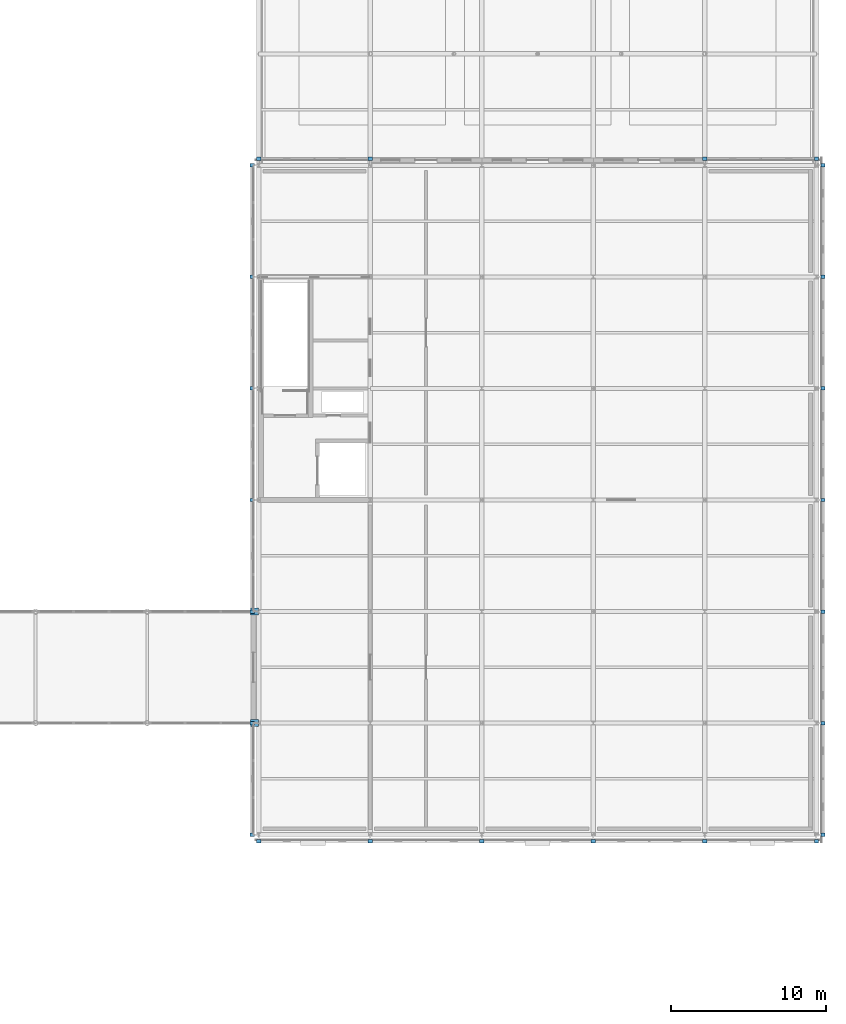
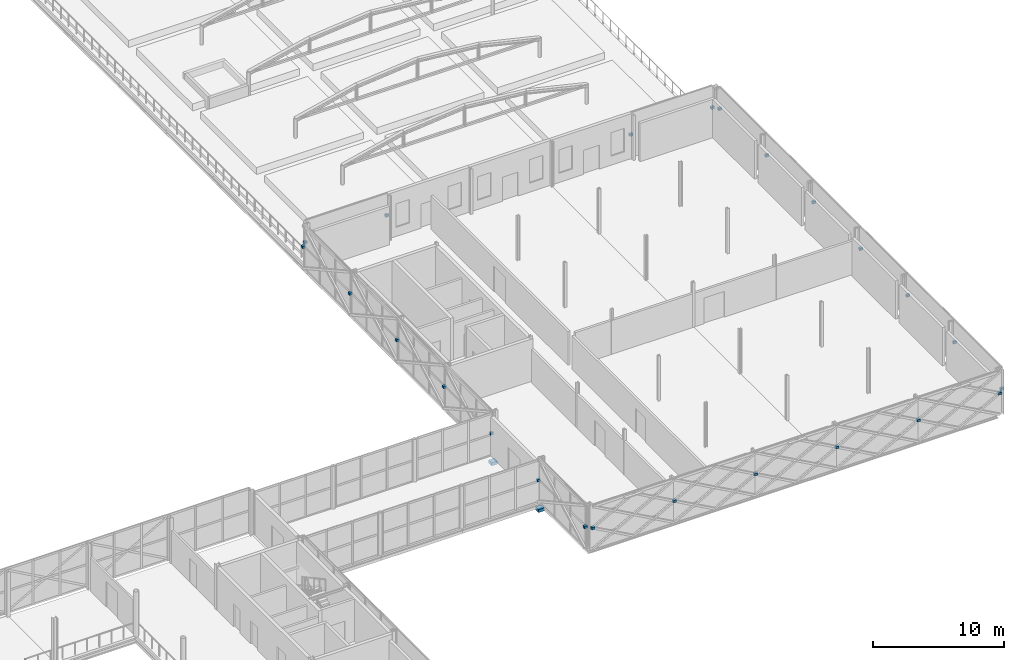
# One storey, part 115 of 126: 26 discrete accessories.
"""IFC4 building model written with IfcOpenShell, lengths in metres."""

from ifc_helpers import new_model, si_unit, direction, frame, origin, origin_2d, place, context, subcontext, project, spatial, rectangle, extrude, material, type_object, element, save


model = new_model("IFC4")

# Units and contexts
model_context = context("Model", 3, precision=1e-05, world=origin(), true_north=direction((0.0, 1.0)))
body_context = subcontext(model_context, "Body", "Model", "MODEL_VIEW")
ifc_project = project(units=[si_unit("LENGTHUNIT", "METRE"), si_unit("AREAUNIT", "SQUARE_METRE"), si_unit("VOLUMEUNIT", "CUBIC_METRE"), si_unit("PLANEANGLEUNIT", "RADIAN"), si_unit("MASSUNIT", "GRAM", prefix="KILO")], contexts=[model_context])

# Site, building, storey
site_placement = place(None, origin())
site = spatial("IfcSite", under=ifc_project, at=site_placement, CompositionType="ELEMENT")
building_placement = place(site_placement, origin())
building = spatial("IfcBuilding", under=site, at=building_placement, Name="Zlatovets Crest Museum", CompositionType="ELEMENT")
storey_placement = place(building_placement, frame((0.0, 0.0, 8.699951171875)))
storey = spatial("IfcBuildingStorey", under=building, at=storey_placement, Name="L02", CompositionType="ELEMENT", Elevation=8.699951171875)

# Discrete accessories
ifc_material = material(Name="Structural steel S355J2", Category="steel")
discrete_accessory_type_1 = type_object("IfcDiscreteAccessoryType", Name="BridgeBearingSeat_BS01", PredefinedType="SHOE", material=ifc_material)
for number, where, z_axis, x_axis, name in (
    (1, (129.340087890625, 21.60009765625, -0.7998046875), (0.0, 0.0, 1.0), (1.0, 0.0, 0.0), "Southeast Archive Glazed Link Bridge L02 520mm Sliding Bearing Seat Corbel Shoe"),
    (2, (129.340087890625, 28.800048828125, -0.7998046875), (0.0, 0.0, 1.0), (1.0, 0.0, 0.0), "Southeast Archive Glazed Link Bridge L02 520mm Sliding Bearing Seat Corbel Shoe"),
):
    element("IfcDiscreteAccessory", number, at=place(storey_placement, frame(where, z_axis=z_axis, x_axis=x_axis)), inside=storey, type_object=discrete_accessory_type_1, Name=name, PredefinedType="SHOE", context=body_context, shape_type="SweptSolid", body=[
        extrude(rectangle(XDim=0.52001953125, YDim=0.449951171875, at=origin_2d()), origin(), (0.0, 0.0, 1.0), 0.280029296875),
    ])
discrete_accessory_type_2 = type_object("IfcDiscreteAccessoryType", Name="LatticeBracket_BK01", PredefinedType="BRACKET", material=ifc_material)
for number, where, z_axis, x_axis, name in (
    (3, (129.60009765625, 13.97998046875, 1.990234375), (0.0, 0.0, 1.0), (1.0, 0.0, 0.0), "Bronze Lattice Structural Collector Bracket"),
    (4, (136.800048828125, 13.97998046875, 1.990234375), (0.0, 0.0, 1.0), (1.0, 0.0, 0.0), "Bronze Lattice Structural Collector Bracket"),
    (5, (144.0, 13.97998046875, 1.990234375), (0.0, 0.0, 1.0), (1.0, 0.0, 0.0), "Bronze Lattice Structural Collector Bracket"),
    (6, (151.199951171875, 13.97998046875, 1.990234375), (0.0, 0.0, 1.0), (1.0, 0.0, 0.0), "Bronze Lattice Structural Collector Bracket"),
    (7, (158.39990234375, 13.97998046875, 1.990234375), (0.0, 0.0, 1.0), (1.0, 0.0, 0.0), "Bronze Lattice Structural Collector Bracket"),
    (8, (165.60009765625, 13.97998046875, 1.990234375), (0.0, 0.0, 1.0), (1.0, 0.0, 0.0), "Bronze Lattice Structural Collector Bracket"),
    (9, (166.02001953125, 14.39990234375, 1.990234375), (0.0, 0.0, 1.0), (1.0, 0.0, 0.0), "Bronze Lattice Structural Collector Bracket"),
    (10, (166.02001953125, 21.60009765625, 1.990234375), (0.0, 0.0, 1.0), (1.0, 0.0, 0.0), "Bronze Lattice Structural Collector Bracket"),
    (11, (166.02001953125, 28.800048828125, 1.990234375), (0.0, 0.0, 1.0), (1.0, 0.0, 0.0), "Bronze Lattice Structural Collector Bracket"),
    (12, (166.02001953125, 36.0, 1.990234375), (0.0, 0.0, 1.0), (1.0, 0.0, 0.0), "Bronze Lattice Structural Collector Bracket"),
    (13, (166.02001953125, 43.199951171875, 1.990234375), (0.0, 0.0, 1.0), (1.0, 0.0, 0.0), "Bronze Lattice Structural Collector Bracket"),
    (14, (166.02001953125, 50.39990234375, 1.990234375), (0.0, 0.0, 1.0), (1.0, 0.0, 0.0), "Bronze Lattice Structural Collector Bracket"),
    (15, (166.02001953125, 57.60009765625, 1.990234375), (0.0, 0.0, 1.0), (1.0, 0.0, 0.0), "Bronze Lattice Structural Collector Bracket"),
    (16, (165.60009765625, 58.02001953125, 1.990234375), (0.0, 0.0, 1.0), (1.0, 0.0, 0.0), "Bronze Lattice Structural Collector Bracket"),
    (17, (158.39990234375, 58.02001953125, 1.990234375), (0.0, 0.0, 1.0), (1.0, 0.0, 0.0), "Bronze Lattice Structural Collector Bracket"),
    (18, (136.800048828125, 58.02001953125, 1.990234375), (0.0, 0.0, 1.0), (1.0, 0.0, 0.0), "Bronze Lattice Structural Collector Bracket"),
    (19, (129.60009765625, 58.02001953125, 1.990234375), (0.0, 0.0, 1.0), (1.0, 0.0, 0.0), "Bronze Lattice Structural Collector Bracket"),
    (20, (129.179931640625, 57.60009765625, 1.990234375), (0.0, 0.0, 1.0), (1.0, 0.0, 0.0), "Bronze Lattice Structural Collector Bracket"),
    (21, (129.179931640625, 50.39990234375, 1.990234375), (0.0, 0.0, 1.0), (1.0, 0.0, 0.0), "Bronze Lattice Structural Collector Bracket"),
    (22, (129.179931640625, 43.199951171875, 1.990234375), (0.0, 0.0, 1.0), (1.0, 0.0, 0.0), "Bronze Lattice Structural Collector Bracket"),
    (23, (129.179931640625, 36.0, 1.990234375), (0.0, 0.0, 1.0), (1.0, 0.0, 0.0), "Bronze Lattice Structural Collector Bracket"),
    (24, (129.179931640625, 28.800048828125, 1.990234375), (0.0, 0.0, 1.0), (1.0, 0.0, 0.0), "Bronze Lattice Structural Collector Bracket"),
    (25, (129.179931640625, 21.60009765625, 1.990234375), (0.0, 0.0, 1.0), (1.0, 0.0, 0.0), "Bronze Lattice Structural Collector Bracket"),
    (26, (129.179931640625, 14.39990234375, 1.990234375), (0.0, 0.0, 1.0), (1.0, 0.0, 0.0), "Bronze Lattice Structural Collector Bracket"),
):
    element("IfcDiscreteAccessory", number, at=place(storey_placement, frame(where, z_axis=z_axis, x_axis=x_axis)), inside=storey, type_object=discrete_accessory_type_2, Name=name, PredefinedType="BRACKET", context=body_context, shape_type="SweptSolid", body=[
        extrude(rectangle(XDim=0.280029296875, YDim=0.219970703125, at=origin_2d()), origin(), (0.0, 0.0, 1.0), 0.219970703125),
    ])

save(model, "model.ifc")
